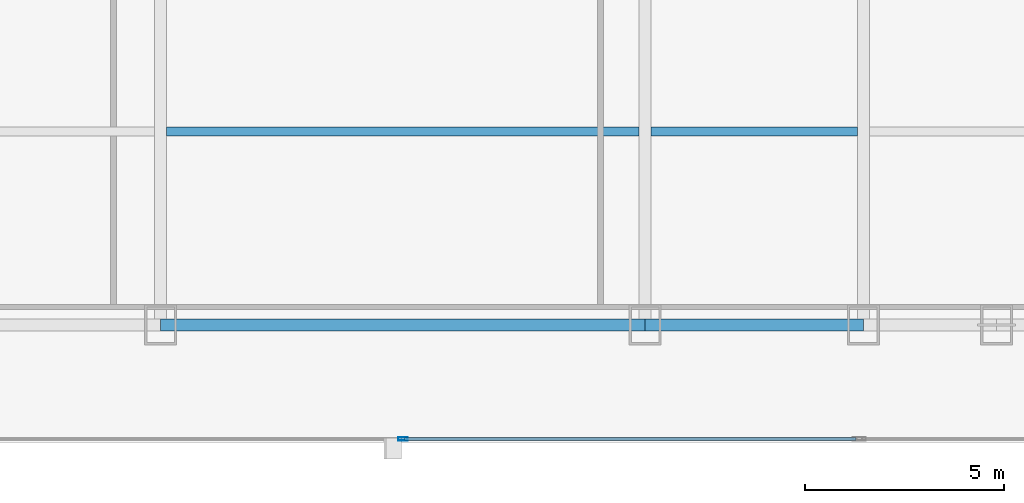
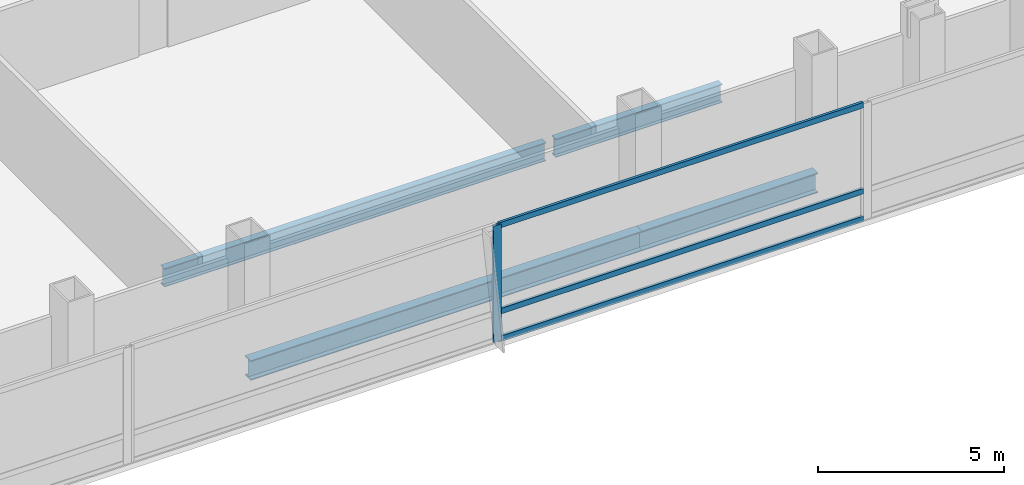
# One storey, part 12 of 35: 4 beams, 4 members, 1 element without a shape of its own.
"""IFC4 building model written with IfcOpenShell, lengths in metres."""

from ifc_helpers import new_model, si_unit, direction, frame, origin, origin_2d, place, context, subcontext, project, spatial, hollow_rectangle, i_section, extrude, material, material_profile, profile_set, type_object, element, aggregate, save


model = new_model("IFC4")

# Units and contexts
model_context = context("Model", 3, precision=1e-05, world=origin(), true_north=direction((0.0, 1.0)))
body_context = subcontext(model_context, "Body", "Model", "MODEL_VIEW")
ifc_project = project(units=[si_unit("LENGTHUNIT", "METRE"), si_unit("AREAUNIT", "SQUARE_METRE"), si_unit("VOLUMEUNIT", "CUBIC_METRE"), si_unit("PLANEANGLEUNIT", "RADIAN"), si_unit("MASSUNIT", "GRAM", prefix="KILO")], contexts=[model_context])

# Site, building, storey
site_placement = place(None, origin())
site = spatial("IfcSite", under=ifc_project, at=site_placement, CompositionType="ELEMENT")
building_placement = place(site_placement, origin())
building = spatial("IfcBuilding", under=site, at=building_placement, Name="Khoronbel Lancet Exchange", CompositionType="ELEMENT")
storey_placement = place(building_placement, frame((0.0, 0.0, 69.800048828125)))
storey = spatial("IfcBuildingStorey", under=building, at=storey_placement, Name="L16", CompositionType="ELEMENT", Elevation=69.800048828125)

# Beams
ifc_material_1 = material(Name="Steel S355", Category="steel")
ifc_material_profile_1 = material_profile(ifc_material_1, i_section(OverallWidth=0.219970703125, OverallDepth=0.60009765625, WebThickness=0.011962890625, FlangeThickness=0.01904296875, at=origin_2d()), Name="IPE 600")
ifc_profile_set_1 = profile_set([ifc_material_profile_1], Name="Steel S355")
beam_type_1 = type_object("IfcBeamType", Name="BM-BJ1", PredefinedType="JOIST", material=ifc_profile_set_1)
beam_1_placement = place(storey_placement, frame((30.52490234375, 15.0, -0.47998046875), z_axis=(1.0, 0.0, 0.0), x_axis=(0.0, 1.0, 0.0)))
element("IfcBeam", 1, at=beam_1_placement, inside=storey, type_object=beam_type_1, Name="Level L16 secondary composite joist J03", PredefinedType="JOIST", context=body_context, shape_type="SweptSolid", body=[
    extrude(i_section(OverallWidth=0.219970703125, OverallDepth=0.60009765625, WebThickness=0.011962890625, FlangeThickness=0.01904296875, at=origin_2d()), origin(), (0.0, 0.0, 1.0), 11.85009765625),
])
beam_2_placement = place(storey_placement, frame((42.675048828125, 15.0, -0.47998046875), z_axis=(1.0, 0.0, 0.0), x_axis=(0.0, 1.0, 0.0)))
element("IfcBeam", 2, at=beam_2_placement, inside=storey, type_object=beam_type_1, Name="Level L16 secondary composite joist J04", PredefinedType="JOIST", context=body_context, shape_type="SweptSolid", body=[
    extrude(i_section(OverallWidth=0.219970703125, OverallDepth=0.60009765625, WebThickness=0.011962890625, FlangeThickness=0.01904296875, at=origin_2d()), origin(), (0.0, 0.0, 1.0), 5.175048828125),
])
ifc_material_profile_2 = material_profile(ifc_material_1, i_section(OverallWidth=0.300048828125, OverallDepth=0.64990234375, WebThickness=0.01611328125, FlangeThickness=0.031005859375, at=origin_2d()), Name="HEB 650")
ifc_profile_set_2 = profile_set([ifc_material_profile_2], Name="Steel S355")
beam_type_2 = type_object("IfcBeamType", Name="BM-BSP1", PredefinedType="SPANDREL", material=ifc_profile_set_2)
beam_3_placement = place(storey_placement, frame((30.375, 10.14990234375, -0.505126953125), z_axis=(1.0, 0.0, 0.0), x_axis=(0.0, 1.0, 0.0)))
element("IfcBeam", 3, at=beam_3_placement, inside=storey, type_object=beam_type_2, Name="Level L16 perimeter spandrel beam SP05", PredefinedType="SPANDREL", context=body_context, shape_type="SweptSolid", body=[
    extrude(i_section(OverallWidth=0.300048828125, OverallDepth=0.64990234375, WebThickness=0.01611328125, FlangeThickness=0.031005859375, at=origin_2d()), origin(), (0.0, 0.0, 1.0), 12.14990234375),
])
beam_4_placement = place(storey_placement, frame((42.52490234375, 10.14990234375, -0.505126953125), z_axis=(1.0, 0.0, 0.0), x_axis=(0.0, 1.0, 0.0)))
element("IfcBeam", 4, at=beam_4_placement, inside=storey, type_object=beam_type_2, Name="Level L16 perimeter spandrel beam SP06", PredefinedType="SPANDREL", context=body_context, shape_type="SweptSolid", body=[
    extrude(i_section(OverallWidth=0.300048828125, OverallDepth=0.64990234375, WebThickness=0.01611328125, FlangeThickness=0.031005859375, at=origin_2d()), origin(), (0.0, 0.0, 1.0), 5.47509765625),
])

# Curtain wall, members
ifc_material_2 = material(Name="Low-E Solar Control Insulating Glass", Category="glass")
curtain_wall_type = type_object("IfcCurtainWallType", Name="CW-1", PredefinedType="NOTDEFINED", material=ifc_material_2)
curtain_wall_placement = place(storey_placement, origin())
curtain_wall = element("IfcCurtainWall", 5, at=curtain_wall_placement, inside=storey, type_object=curtain_wall_type, Name="Unitised curtain wall CW-L16-SCV", PredefinedType="NOTDEFINED")
ifc_material_3 = material(Name="Bronze-Anodised Aluminium 6063-T6", Category="aluminium")
ifc_material_profile_3 = material_profile(ifc_material_3, hollow_rectangle(XDim=0.0849609375, YDim=0.239990234375, WallThickness=0.006103515625, at=origin_2d()), Name="ALU MULLION 85x240")
ifc_profile_set_3 = profile_set([ifc_material_profile_3], Name="Bronze-Anodised Aluminium 6063-T6")
member_type_1 = type_object("IfcMemberType", Name="MEM-CWM1", PredefinedType="MULLION", material=ifc_profile_set_3)
member_1_placement = place(storey_placement, frame((36.449951171875, 7.2900390625, 0.0), z_axis=(0.0, 0.0, 1.0), x_axis=(0.0, 1.0, 0.0)))
member_1 = element("IfcMember", 6, at=member_1_placement, type_object=member_type_1, Name="CW1 mullion 2", PredefinedType="MULLION", context=body_context, shape_type="SweptSolid", body=[
    extrude(hollow_rectangle(XDim=0.0849609375, YDim=0.239990234375, WallThickness=0.006103515625, at=origin_2d()), origin(), (0.0, 0.0, 1.0), 3.820068359375),
])
ifc_material_profile_4 = material_profile(ifc_material_3, hollow_rectangle(XDim=0.0849609375, YDim=0.179931640625, WallThickness=0.0048828125, at=origin_2d()), Name="ALU TRANSOM 85x180")
ifc_profile_set_4 = profile_set([ifc_material_profile_4], Name="Bronze-Anodised Aluminium 6063-T6")
member_type_2 = type_object("IfcMemberType", Name="MEM-CWT1", PredefinedType="USERDEFINED", material=ifc_profile_set_4)
member_2_placement = place(storey_placement, frame((36.492431640625, 7.2900390625, 0.04248046875), z_axis=(1.0, 0.0, 0.0), x_axis=(0.0, 1.0, 0.0)))
member_2 = element("IfcMember", 7, at=member_2_placement, type_object=member_type_2, Name="CW1 transom 2.1", ObjectType="TRANSOM", PredefinedType="USERDEFINED", context=body_context, shape_type="SweptSolid", body=[
    extrude(hollow_rectangle(XDim=0.0849609375, YDim=0.179931640625, WallThickness=0.0048828125, at=origin_2d()), origin(), (0.0, 0.0, 1.0), 11.322509765625),
])
member_3_placement = place(storey_placement, frame((36.492431640625, 7.2900390625, 0.949951171875), z_axis=(1.0, 0.0, 0.0), x_axis=(0.0, 1.0, 0.0)))
member_3 = element("IfcMember", 8, at=member_3_placement, type_object=member_type_2, Name="CW1 transom 2.2", ObjectType="TRANSOM", PredefinedType="USERDEFINED", context=body_context, shape_type="SweptSolid", body=[
    extrude(hollow_rectangle(XDim=0.0849609375, YDim=0.179931640625, WallThickness=0.0048828125, at=origin_2d()), origin(), (0.0, 0.0, 1.0), 11.322509765625),
])
member_4_placement = place(storey_placement, frame((36.492431640625, 7.2900390625, 3.77734375), z_axis=(1.0, 0.0, 0.0), x_axis=(0.0, 1.0, 0.0)))
member_4 = element("IfcMember", 9, at=member_4_placement, type_object=member_type_2, Name="CW1 transom 2.3", ObjectType="TRANSOM", PredefinedType="USERDEFINED", context=body_context, shape_type="SweptSolid", body=[
    extrude(hollow_rectangle(XDim=0.0849609375, YDim=0.179931640625, WallThickness=0.0048828125, at=origin_2d()), origin(), (0.0, 0.0, 1.0), 11.322509765625),
])
aggregate(curtain_wall, [member_1, member_2, member_3, member_4])

save(model, "model.ifc")
